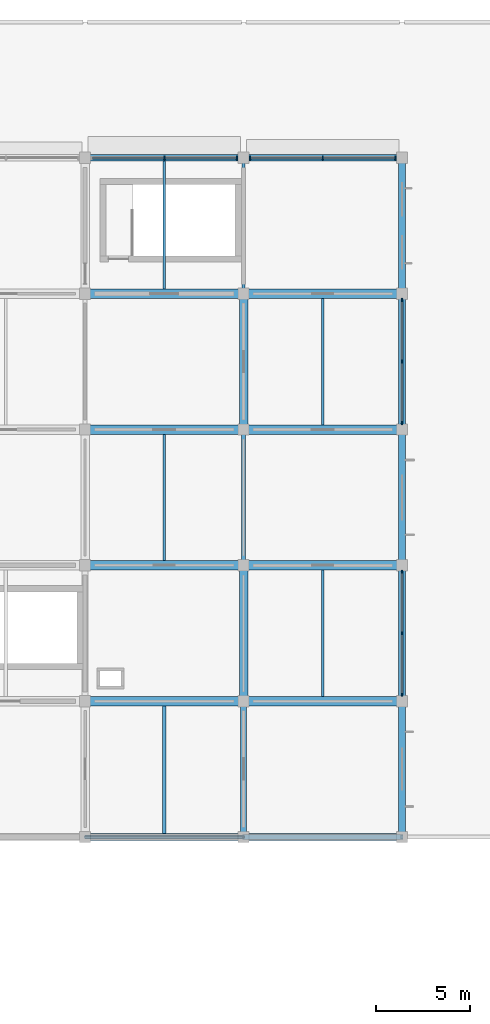
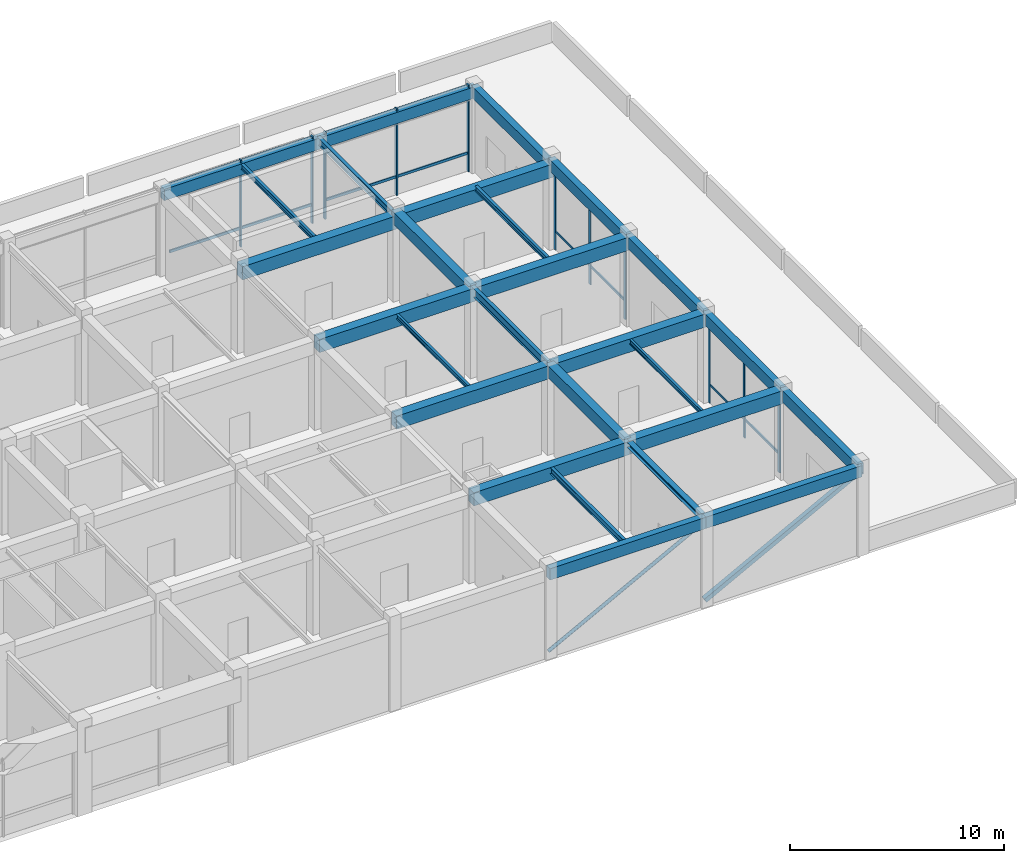
# One storey, part 19 of 38: 27 beams, 21 members, 4 elements without a shape of their own.
"""IFC4 building model written with IfcOpenShell, lengths in metres."""

from ifc_helpers import new_model, si_unit, derived_unit, direction, frame, origin, origin_2d, place, context, subcontext, project, spatial, rectangle, hollow_rectangle, hollow_circle, i_section, extrude, material, material_profile, profile_set, type_object, element, aggregate, save


model = new_model("IFC4")

# Units and contexts
model_context = context("Model", 3, precision=1e-05, world=origin(), true_north=direction((0.0, 1.0)))
body_context = subcontext(model_context, "Body", "Model", "MODEL_VIEW")
ifc_project = project(units=[si_unit("LENGTHUNIT", "METRE"), si_unit("AREAUNIT", "SQUARE_METRE"), si_unit("VOLUMEUNIT", "CUBIC_METRE"), si_unit("PLANEANGLEUNIT", "RADIAN"), si_unit("MASSUNIT", "GRAM", prefix="KILO"), derived_unit("THERMALTRANSMITTANCEUNIT", [(si_unit("MASSUNIT", "GRAM", prefix="KILO"), 1), (si_unit("TIMEUNIT", "SECOND"), -3), (si_unit("THERMODYNAMICTEMPERATUREUNIT", "KELVIN"), -1)])], contexts=[model_context])

# Site, building, storey
site_placement = place(None, origin())
site = spatial("IfcSite", under=ifc_project, at=site_placement, CompositionType="ELEMENT")
building_placement = place(site_placement, origin())
building = spatial("IfcBuilding", under=site, at=building_placement, Name="Veldstrom Oceanarium and Marine Research Institute", CompositionType="ELEMENT")
storey_placement = place(building_placement, frame((0.0, 0.0, 16.800048828125)))
storey = spatial("IfcBuildingStorey", under=building, at=storey_placement, Name="L03", CompositionType="ELEMENT", Elevation=16.800048828125)

# Curtain wall, members
ifc_material_1 = material(Name="Anodised Aluminium Framing", Category="aluminium")
curtain_wall_type_1 = type_object("IfcCurtainWallType", Name="ARC-CW-CW02", PredefinedType="USERDEFINED", material=ifc_material_1)
curtain_wall_1_placement = place(storey_placement, origin())
curtain_wall_1 = element("IfcCurtainWall", 1, at=curtain_wall_1_placement, inside=storey, type_object=curtain_wall_type_1, Name="Curtain Wall CW02 CW-L03-074", ObjectType="Curtain wall", PredefinedType="USERDEFINED")
ifc_material_2 = material(Name="Anodised Aluminium Framing", Category="aluminium")
ifc_material_profile_1 = material_profile(ifc_material_2, rectangle(XDim=0.074951171875, YDim=0.179931640625, at=origin_2d()), Name="ALU-MUL-75x180")
ifc_profile_set_1 = profile_set([ifc_material_profile_1], Name="Anodised Aluminium Framing")
member_type_1 = type_object("IfcMemberType", Name="ARC-MUL-ML1", PredefinedType="MULLION", material=ifc_profile_set_1)
member_1_placement = place(storey_placement, frame((138.60009765625, 79.199951171875, 0.0), z_axis=(0.0, 0.0, 1.0), x_axis=(1.0, 0.0, 0.0)))
member_1 = element("IfcMember", 2, at=member_1_placement, type_object=member_type_1, Name="Curtain Wall Mullion CW-L03-074-MUL-2", PredefinedType="MULLION", context=body_context, shape_type="SweptSolid", body=[
    extrude(rectangle(XDim=0.074951171875, YDim=0.179931640625, at=origin_2d()), origin(), (0.0, 0.0, 1.0), 4.949951171875),
])
member_2_placement = place(storey_placement, frame((142.4599609375, 79.199951171875, 0.0), z_axis=(0.0, 0.0, 1.0), x_axis=(1.0, 0.0, 0.0)))
member_2 = element("IfcMember", 3, at=member_2_placement, type_object=member_type_1, Name="Curtain Wall Mullion CW-L03-074-MUL-3", PredefinedType="MULLION", context=body_context, shape_type="SweptSolid", body=[
    extrude(rectangle(XDim=0.074951171875, YDim=0.179931640625, at=origin_2d()), origin(), (0.0, 0.0, 1.0), 4.949951171875),
])

ifc_material_3 = material(Name="Anodised Aluminium Framing", Category="aluminium")
curtain_wall_type_2 = type_object("IfcCurtainWallType", Name="ARC-CW-CW06", PredefinedType="USERDEFINED", material=ifc_material_3)
curtain_wall_2_placement = place(storey_placement, origin())
curtain_wall_2 = element("IfcCurtainWall", 4, at=curtain_wall_2_placement, inside=storey, type_object=curtain_wall_type_2, Name="Curtain Wall CW06 CW-L03-075", ObjectType="Curtain wall", PredefinedType="USERDEFINED")
member_3_placement = place(storey_placement, frame((151.199951171875, 50.739990234375, 0.0), z_axis=(0.0, 0.0, 1.0), x_axis=(1.0, 0.0, 0.0)))
member_3 = element("IfcMember", 5, at=member_3_placement, type_object=member_type_1, Name="Curtain Wall Mullion CW-L03-075-MUL-1", PredefinedType="MULLION", context=body_context, shape_type="SweptSolid", body=[
    extrude(rectangle(XDim=0.074951171875, YDim=0.179931640625, at=origin_2d()), origin(), (0.0, 0.0, 1.0), 4.949951171875),
])
member_4_placement = place(storey_placement, frame((151.199951171875, 54.0, 0.0), z_axis=(0.0, 0.0, 1.0), x_axis=(1.0, 0.0, 0.0)))
member_4 = element("IfcMember", 6, at=member_4_placement, type_object=member_type_1, Name="Curtain Wall Mullion CW-L03-075-MUL-2", PredefinedType="MULLION", context=body_context, shape_type="SweptSolid", body=[
    extrude(rectangle(XDim=0.074951171875, YDim=0.179931640625, at=origin_2d()), origin(), (0.0, 0.0, 1.0), 4.949951171875),
])
member_5_placement = place(storey_placement, frame((151.199951171875, 57.260009765625, 0.0), z_axis=(0.0, 0.0, 1.0), x_axis=(1.0, 0.0, 0.0)))
member_5 = element("IfcMember", 7, at=member_5_placement, type_object=member_type_1, Name="Curtain Wall Mullion CW-L03-075-MUL-3", PredefinedType="MULLION", context=body_context, shape_type="SweptSolid", body=[
    extrude(rectangle(XDim=0.074951171875, YDim=0.179931640625, at=origin_2d()), origin(), (0.0, 0.0, 1.0), 4.949951171875),
])

curtain_wall_3_placement = place(storey_placement, origin())
curtain_wall_3 = element("IfcCurtainWall", 8, at=curtain_wall_3_placement, inside=storey, type_object=curtain_wall_type_2, Name="Curtain Wall CW06 CW-L03-076", ObjectType="Curtain wall", PredefinedType="USERDEFINED")
member_6_placement = place(storey_placement, frame((151.199951171875, 65.139892578125, 0.0), z_axis=(0.0, 0.0, 1.0), x_axis=(1.0, 0.0, 0.0)))
member_6 = element("IfcMember", 9, at=member_6_placement, type_object=member_type_1, Name="Curtain Wall Mullion CW-L03-076-MUL-1", PredefinedType="MULLION", context=body_context, shape_type="SweptSolid", body=[
    extrude(rectangle(XDim=0.074951171875, YDim=0.179931640625, at=origin_2d()), origin(), (0.0, 0.0, 1.0), 4.949951171875),
])
member_7_placement = place(storey_placement, frame((151.199951171875, 68.39990234375, 0.0), z_axis=(0.0, 0.0, 1.0), x_axis=(1.0, 0.0, 0.0)))
member_7 = element("IfcMember", 10, at=member_7_placement, type_object=member_type_1, Name="Curtain Wall Mullion CW-L03-076-MUL-2", PredefinedType="MULLION", context=body_context, shape_type="SweptSolid", body=[
    extrude(rectangle(XDim=0.074951171875, YDim=0.179931640625, at=origin_2d()), origin(), (0.0, 0.0, 1.0), 4.949951171875),
])
member_8_placement = place(storey_placement, frame((151.199951171875, 71.659912109375, 0.0), z_axis=(0.0, 0.0, 1.0), x_axis=(1.0, 0.0, 0.0)))
member_8 = element("IfcMember", 11, at=member_8_placement, type_object=member_type_1, Name="Curtain Wall Mullion CW-L03-076-MUL-3", PredefinedType="MULLION", context=body_context, shape_type="SweptSolid", body=[
    extrude(rectangle(XDim=0.074951171875, YDim=0.179931640625, at=origin_2d()), origin(), (0.0, 0.0, 1.0), 4.949951171875),
])

curtain_wall_4_placement = place(storey_placement, origin())
curtain_wall_4 = element("IfcCurtainWall", 12, at=curtain_wall_4_placement, inside=storey, type_object=curtain_wall_type_1, Name="Curtain Wall CW02 CW-L03-077", ObjectType="Curtain wall", PredefinedType="USERDEFINED")
member_9_placement = place(storey_placement, frame((143.139892578125, 79.199951171875, 0.0), z_axis=(0.0, 0.0, 1.0), x_axis=(1.0, 0.0, 0.0)))
member_9 = element("IfcMember", 13, at=member_9_placement, type_object=member_type_1, Name="Curtain Wall Mullion CW-L03-077-MUL-1", PredefinedType="MULLION", context=body_context, shape_type="SweptSolid", body=[
    extrude(rectangle(XDim=0.074951171875, YDim=0.179931640625, at=origin_2d()), origin(), (0.0, 0.0, 1.0), 4.949951171875),
])
member_10_placement = place(storey_placement, frame((147.0, 79.199951171875, 0.0), z_axis=(0.0, 0.0, 1.0), x_axis=(1.0, 0.0, 0.0)))
member_10 = element("IfcMember", 14, at=member_10_placement, type_object=member_type_1, Name="Curtain Wall Mullion CW-L03-077-MUL-2", PredefinedType="MULLION", context=body_context, shape_type="SweptSolid", body=[
    extrude(rectangle(XDim=0.074951171875, YDim=0.179931640625, at=origin_2d()), origin(), (0.0, 0.0, 1.0), 4.949951171875),
])
member_11_placement = place(storey_placement, frame((150.860107421875, 79.199951171875, 0.0), z_axis=(0.0, 0.0, 1.0), x_axis=(1.0, 0.0, 0.0)))
member_11 = element("IfcMember", 15, at=member_11_placement, type_object=member_type_1, Name="Curtain Wall Mullion CW-L03-077-MUL-3", PredefinedType="MULLION", context=body_context, shape_type="SweptSolid", body=[
    extrude(rectangle(XDim=0.074951171875, YDim=0.179931640625, at=origin_2d()), origin(), (0.0, 0.0, 1.0), 4.949951171875),
])

# Member
ifc_material_4 = material(Name="Anodised Aluminium Framing", Category="aluminium")
ifc_material_profile_2 = material_profile(ifc_material_4, rectangle(XDim=0.074951171875, YDim=0.14990234375, at=origin_2d()), Name="ALU-TRN-75x150")
ifc_profile_set_2 = profile_set([ifc_material_profile_2], Name="Anodised Aluminium Framing")
member_type_2 = type_object("IfcMemberType", Name="ARC-TRN-TR1", PredefinedType="USERDEFINED", material=ifc_profile_set_2)
member_12_placement = place(storey_placement, frame((134.780029296875, 79.199951171875, 1.050048828125), z_axis=(1.0, 0.0, 0.0), x_axis=(0.0, 1.0, 0.0)))
member_12 = element("IfcMember", 16, at=member_12_placement, type_object=member_type_2, Name="Curtain Wall Transom CW-L03-074-TRN-1", ObjectType="Transom", PredefinedType="USERDEFINED", context=body_context, shape_type="SweptSolid", body=[
    extrude(rectangle(XDim=0.074951171875, YDim=0.14990234375, at=origin_2d()), origin(), (0.0, 0.0, 1.0), 3.780029296875),
])

member_13_placement = place(storey_placement, frame((138.639892578125, 79.199951171875, 1.050048828125), z_axis=(1.0, 0.0, 0.0), x_axis=(0.0, 1.0, 0.0)))
member_13 = element("IfcMember", 17, at=member_13_placement, type_object=member_type_2, Name="Curtain Wall Transom CW-L03-074-TRN-2", ObjectType="Transom", PredefinedType="USERDEFINED", context=body_context, shape_type="SweptSolid", body=[
    extrude(rectangle(XDim=0.074951171875, YDim=0.14990234375, at=origin_2d()), origin(), (0.0, 0.0, 1.0), 3.780029296875),
])

aggregate(curtain_wall_1, [member_1, member_2, member_12, member_13])

member_14_placement = place(storey_placement, frame((143.179931640625, 79.199951171875, 1.050048828125), z_axis=(1.0, 0.0, 0.0), x_axis=(0.0, 1.0, 0.0)))
member_14 = element("IfcMember", 18, at=member_14_placement, type_object=member_type_2, Name="Curtain Wall Transom CW-L03-077-TRN-1", ObjectType="Transom", PredefinedType="USERDEFINED", context=body_context, shape_type="SweptSolid", body=[
    extrude(rectangle(XDim=0.074951171875, YDim=0.14990234375, at=origin_2d()), origin(), (0.0, 0.0, 1.0), 3.780029296875),
])

member_15_placement = place(storey_placement, frame((147.0400390625, 79.199951171875, 1.050048828125), z_axis=(1.0, 0.0, 0.0), x_axis=(0.0, 1.0, 0.0)))
member_15 = element("IfcMember", 19, at=member_15_placement, type_object=member_type_2, Name="Curtain Wall Transom CW-L03-077-TRN-2", ObjectType="Transom", PredefinedType="USERDEFINED", context=body_context, shape_type="SweptSolid", body=[
    extrude(rectangle(XDim=0.074951171875, YDim=0.14990234375, at=origin_2d()), origin(), (0.0, 0.0, 1.0), 3.780029296875),
])

aggregate(curtain_wall_4, [member_9, member_10, member_11, member_14, member_15])

ifc_material_5 = material(Name="Anodised Aluminium Framing", Category="aluminium")
ifc_material_profile_3 = material_profile(ifc_material_5, rectangle(XDim=0.06494140625, YDim=0.1201171875, at=origin_2d()), Name="ALU-TRN-65x120")
ifc_profile_set_3 = profile_set([ifc_material_profile_3], Name="Anodised Aluminium Framing")
member_type_3 = type_object("IfcMemberType", Name="ARC-TRN-TR2", PredefinedType="USERDEFINED", material=ifc_profile_set_3)
member_16_placement = place(storey_placement, frame((151.199951171875, 50.780029296875, 1.050048828125), z_axis=(0.0, 1.0, 0.0), x_axis=(-1.0, 0.0, 0.0)))
member_16 = element("IfcMember", 20, at=member_16_placement, type_object=member_type_3, Name="Curtain Wall Transom CW-L03-075-TRN-1", ObjectType="Transom", PredefinedType="USERDEFINED", context=body_context, shape_type="SweptSolid", body=[
    extrude(rectangle(XDim=0.06494140625, YDim=0.1201171875, at=origin_2d()), origin(), (0.0, 0.0, 1.0), 3.179931640625),
])

member_17_placement = place(storey_placement, frame((151.199951171875, 54.0400390625, 1.050048828125), z_axis=(0.0, 1.0, 0.0), x_axis=(-1.0, 0.0, 0.0)))
member_17 = element("IfcMember", 21, at=member_17_placement, type_object=member_type_3, Name="Curtain Wall Transom CW-L03-075-TRN-2", ObjectType="Transom", PredefinedType="USERDEFINED", context=body_context, shape_type="SweptSolid", body=[
    extrude(rectangle(XDim=0.06494140625, YDim=0.1201171875, at=origin_2d()), origin(), (0.0, 0.0, 1.0), 3.179931640625),
])

aggregate(curtain_wall_2, [member_3, member_4, member_5, member_16, member_17])

member_18_placement = place(storey_placement, frame((151.199951171875, 65.179931640625, 1.050048828125), z_axis=(0.0, 1.0, 0.0), x_axis=(-1.0, 0.0, 0.0)))
member_18 = element("IfcMember", 22, at=member_18_placement, type_object=member_type_3, Name="Curtain Wall Transom CW-L03-076-TRN-1", ObjectType="Transom", PredefinedType="USERDEFINED", context=body_context, shape_type="SweptSolid", body=[
    extrude(rectangle(XDim=0.06494140625, YDim=0.1201171875, at=origin_2d()), origin(), (0.0, 0.0, 1.0), 3.18017578125),
])

member_19_placement = place(storey_placement, frame((151.199951171875, 68.43994140625, 1.050048828125), z_axis=(0.0, 1.0, 0.0), x_axis=(-1.0, 0.0, 0.0)))
member_19 = element("IfcMember", 23, at=member_19_placement, type_object=member_type_3, Name="Curtain Wall Transom CW-L03-076-TRN-2", ObjectType="Transom", PredefinedType="USERDEFINED", context=body_context, shape_type="SweptSolid", body=[
    extrude(rectangle(XDim=0.06494140625, YDim=0.1201171875, at=origin_2d()), origin(), (0.0, 0.0, 1.0), 3.18017578125),
])

aggregate(curtain_wall_3, [member_6, member_7, member_8, member_18, member_19])

# Beams
ifc_material_6 = material(Name="Concrete C40/50", Category="concrete")
ifc_material_profile_4 = material_profile(ifc_material_6, rectangle(XDim=0.5, YDim=0.75, at=origin_2d()), Name="RC-BM-500x750")
ifc_profile_set_4 = profile_set([ifc_material_profile_4], Name="Concrete C40/50")
beam_type_1 = type_object("IfcBeamType", Name="STR-BM-B03", PredefinedType="BEAM", material=ifc_profile_set_4)
for number, where, z_axis, x_axis, name in (
    (24, (134.39990234375, 50.39990234375, 4.669921875), (1.0, 0.0, 0.0), (0.0, 1.0, 0.0), "Primary Beam B03 L03-1937"),
    (25, (134.39990234375, 57.60009765625, 4.669921875), (1.0, 0.0, 0.0), (0.0, 1.0, 0.0), "Primary Beam B03 L03-1938"),
    (26, (134.39990234375, 64.800048828125, 4.669921875), (1.0, 0.0, 0.0), (0.0, 1.0, 0.0), "Primary Beam B03 L03-1939"),
    (27, (134.39990234375, 72.0, 4.445068359375), (1.0, 0.0, 0.0), (0.0, 1.0, 0.0), "Primary Beam B03 L03-1940"),
):
    element("IfcBeam", number, at=place(storey_placement, frame(where, z_axis=z_axis, x_axis=x_axis)), inside=storey, type_object=beam_type_1, Name=name, PredefinedType="BEAM", context=body_context, shape_type="SweptSolid", body=[
        extrude(rectangle(XDim=0.5, YDim=0.75, at=origin_2d()), origin(), (0.0, 0.0, 1.0), 8.400146484375),
    ])
for number, where, z_axis, x_axis, name in (
    (28, (142.800048828125, 50.39990234375, 4.669921875), (1.0, 0.0, 0.0), (0.0, 1.0, 0.0), "Primary Beam B03 L03-1943"),
    (29, (142.800048828125, 57.60009765625, 4.669921875), (1.0, 0.0, 0.0), (0.0, 1.0, 0.0), "Primary Beam B03 L03-1944"),
    (30, (142.800048828125, 64.800048828125, 4.669921875), (1.0, 0.0, 0.0), (0.0, 1.0, 0.0), "Primary Beam B03 L03-1945"),
    (31, (142.800048828125, 72.0, 4.445068359375), (1.0, 0.0, 0.0), (0.0, 1.0, 0.0), "Primary Beam B03 L03-1946"),
):
    element("IfcBeam", number, at=place(storey_placement, frame(where, z_axis=z_axis, x_axis=x_axis)), inside=storey, type_object=beam_type_1, Name=name, PredefinedType="BEAM", context=body_context, shape_type="SweptSolid", body=[
        extrude(rectangle(XDim=0.5, YDim=0.75, at=origin_2d()), origin(), (0.0, 0.0, 1.0), 8.39990234375),
    ])
ifc_material_7 = material(Name="Concrete C40/50", Category="concrete")
ifc_material_profile_5 = material_profile(ifc_material_7, rectangle(XDim=0.449951171875, YDim=0.699951171875, at=origin_2d()), Name="RC-BM-450x700")
ifc_profile_set_5 = profile_set([ifc_material_profile_5], Name="Concrete C40/50")
beam_type_2 = type_object("IfcBeamType", Name="STR-BM-B04", PredefinedType="BEAM", material=ifc_profile_set_5)
beam_1_placement = place(storey_placement, frame((142.800048828125, 50.39990234375, 4.695068359375), z_axis=(0.0, 1.0, 0.0), x_axis=(-1.0, 0.0, 0.0)))
element("IfcBeam", 32, at=beam_1_placement, inside=storey, type_object=beam_type_2, Name="Primary Beam B04 L03-2044", PredefinedType="BEAM", context=body_context, shape_type="SweptSolid", body=[
    extrude(rectangle(XDim=0.449951171875, YDim=0.699951171875, at=origin_2d()), origin(), (0.0, 0.0, 1.0), 7.2001953125),
])
beam_2_placement = place(storey_placement, frame((142.800048828125, 64.800048828125, 4.695068359375), z_axis=(0.0, 1.0, 0.0), x_axis=(-1.0, 0.0, 0.0)))
element("IfcBeam", 33, at=beam_2_placement, inside=storey, type_object=beam_type_2, Name="Primary Beam B04 L03-2046", PredefinedType="BEAM", context=body_context, shape_type="SweptSolid", body=[
    extrude(rectangle(XDim=0.449951171875, YDim=0.699951171875, at=origin_2d()), origin(), (0.0, 0.0, 1.0), 7.199951171875),
])
ifc_material_8 = material(Name="Steel S355JR", Category="steel")
ifc_material_profile_6 = material_profile(ifc_material_8, i_section(OverallWidth=0.300048828125, OverallDepth=0.2900390625, WebThickness=0.008544921875, FlangeThickness=0.013916015625, FilletRadius=0.027099609375, at=origin_2d()), Name="HEA 300")
ifc_profile_set_6 = profile_set([ifc_material_profile_6], Name="Steel S355JR")
beam_type_3 = type_object("IfcBeamType", Name="STR-BM-SB10", PredefinedType="BEAM", material=ifc_profile_set_6)
beam_3_placement = place(storey_placement, frame((142.800048828125, 43.199951171875, 4.89990234375), z_axis=(0.0, 1.0, 0.0), x_axis=(-1.0, 0.0, 0.0)))
element("IfcBeam", 34, at=beam_3_placement, inside=storey, type_object=beam_type_3, Name="Steel Tie Beam SB10 L03-2043", PredefinedType="BEAM", context=body_context, shape_type="SweptSolid", body=[
    extrude(i_section(OverallWidth=0.300048828125, OverallDepth=0.2900390625, WebThickness=0.008544921875, FlangeThickness=0.013916015625, FilletRadius=0.027099609375, at=origin_2d()), origin(), (0.0, 0.0, 1.0), 7.199951171875),
])
ifc_material_9 = material(Name="Steel S355JR", Category="steel")
ifc_material_profile_7 = material_profile(ifc_material_9, i_section(OverallWidth=0.199951171875, OverallDepth=0.5, WebThickness=0.01025390625, FlangeThickness=0.01611328125, FilletRadius=0.02099609375, at=origin_2d()), Name="IPE 500")
ifc_profile_set_7 = profile_set([ifc_material_profile_7], Name="Steel S355JR")
beam_type_4 = type_object("IfcBeamType", Name="STR-BM-SB6", PredefinedType="BEAM", material=ifc_profile_set_7)
beam_4_placement = place(storey_placement, frame((142.800048828125, 57.60009765625, 4.794921875), z_axis=(0.0, 1.0, 0.0), x_axis=(-1.0, 0.0, 0.0)))
element("IfcBeam", 35, at=beam_4_placement, inside=storey, type_object=beam_type_4, Name="Steel Tie Beam SB6 L03-2045", PredefinedType="BEAM", context=body_context, shape_type="SweptSolid", body=[
    extrude(i_section(OverallWidth=0.199951171875, OverallDepth=0.5, WebThickness=0.01025390625, FlangeThickness=0.01611328125, FilletRadius=0.02099609375, at=origin_2d()), origin(), (0.0, 0.0, 1.0), 7.199951171875),
])
ifc_material_10 = material(Name="Steel S355JR", Category="steel")
ifc_material_profile_8 = material_profile(ifc_material_10, i_section(OverallWidth=0.179931640625, OverallDepth=0.39990234375, WebThickness=0.008544921875, FlangeThickness=0.013427734375, FilletRadius=0.02099609375, at=origin_2d()), Name="IPE 400")
ifc_profile_set_8 = profile_set([ifc_material_profile_8], Name="Steel S355JR")
beam_type_5 = type_object("IfcBeamType", Name="STR-BM-SB8", PredefinedType="BEAM", material=ifc_profile_set_8)
beam_5_placement = place(storey_placement, frame((142.800048828125, 72.0, 4.619873046875), z_axis=(0.0, 1.0, 0.0), x_axis=(-1.0, 0.0, 0.0)))
element("IfcBeam", 36, at=beam_5_placement, inside=storey, type_object=beam_type_5, Name="Steel Tie Beam SB8 L03-2047", PredefinedType="BEAM", context=body_context, shape_type="SweptSolid", body=[
    extrude(i_section(OverallWidth=0.179931640625, OverallDepth=0.39990234375, WebThickness=0.008544921875, FlangeThickness=0.013427734375, FilletRadius=0.02099609375, at=origin_2d()), origin(), (0.0, 0.0, 1.0), 7.199951171875),
])
ifc_material_11 = material(Name="Steel S355JR", Category="steel")
ifc_material_profile_9 = material_profile(ifc_material_11, i_section(OverallWidth=0.169921875, OverallDepth=0.360107421875, WebThickness=0.008056640625, FlangeThickness=0.0126953125, FilletRadius=0.01806640625, at=origin_2d()), Name="IPE 360")
ifc_profile_set_9 = profile_set([ifc_material_profile_9], Name="Steel S355JR")
beam_type_6 = type_object("IfcBeamType", Name="STR-JST-SJ1", PredefinedType="JOIST", material=ifc_profile_set_9)
beam_6_placement = place(storey_placement, frame((138.60009765625, 43.375, 4.864990234375), z_axis=(0.0, 1.0, 0.0), x_axis=(-1.0, 0.0, 0.0)))
element("IfcBeam", 37, at=beam_6_placement, inside=storey, type_object=beam_type_6, Name="Secondary Joist SJ1 L03-2090", PredefinedType="JOIST", context=body_context, shape_type="SweptSolid", body=[
    extrude(i_section(OverallWidth=0.169921875, OverallDepth=0.360107421875, WebThickness=0.008056640625, FlangeThickness=0.0126953125, FilletRadius=0.01806640625, at=origin_2d()), origin(), (0.0, 0.0, 1.0), 6.77490234375),
])
ifc_material_12 = material(Name="Steel S355JR", Category="steel")
ifc_material_profile_10 = material_profile(ifc_material_12, i_section(OverallWidth=0.14990234375, OverallDepth=0.300048828125, WebThickness=0.007080078125, FlangeThickness=0.0107421875, FilletRadius=0.014892578125, at=origin_2d()), Name="IPE 300")
ifc_profile_set_10 = profile_set([ifc_material_profile_10], Name="Steel S355JR")
beam_type_7 = type_object("IfcBeamType", Name="STR-JST-SJ2", PredefinedType="JOIST", material=ifc_profile_set_10)
beam_7_placement = place(storey_placement, frame((138.60009765625, 72.25, 4.669921875), z_axis=(0.0, 1.0, 0.0), x_axis=(-1.0, 0.0, 0.0)))
element("IfcBeam", 38, at=beam_7_placement, inside=storey, type_object=beam_type_7, Name="Secondary Joist SJ2 L03-2092", PredefinedType="JOIST", context=body_context, shape_type="SweptSolid", body=[
    extrude(i_section(OverallWidth=0.14990234375, OverallDepth=0.300048828125, WebThickness=0.007080078125, FlangeThickness=0.0107421875, FilletRadius=0.014892578125, at=origin_2d()), origin(), (0.0, 0.0, 1.0), 6.77490234375),
])
beam_8_placement = place(storey_placement, frame((147.0, 65.050048828125, 4.89501953125), z_axis=(0.0, 1.0, 0.0), x_axis=(-1.0, 0.0, 0.0)))
element("IfcBeam", 39, at=beam_8_placement, inside=storey, type_object=beam_type_7, Name="Secondary Joist SJ2 L03-2094", PredefinedType="JOIST", context=body_context, shape_type="SweptSolid", body=[
    extrude(i_section(OverallWidth=0.14990234375, OverallDepth=0.300048828125, WebThickness=0.007080078125, FlangeThickness=0.0107421875, FilletRadius=0.014892578125, at=origin_2d()), origin(), (0.0, 0.0, 1.0), 6.699951171875),
])
ifc_material_13 = material(Name="Steel S355JR", Category="steel")
ifc_material_profile_11 = material_profile(ifc_material_13, i_section(OverallWidth=0.135009765625, OverallDepth=0.27001953125, WebThickness=0.006591796875, FlangeThickness=0.01025390625, FilletRadius=0.014892578125, at=origin_2d()), Name="IPE 270")
ifc_profile_set_11 = profile_set([ifc_material_profile_11], Name="Steel S355JR")
beam_type_8 = type_object("IfcBeamType", Name="STR-JST-SJ3", PredefinedType="JOIST", material=ifc_profile_set_11)
beam_9_placement = place(storey_placement, frame((138.60009765625, 57.85009765625, 4.909912109375), z_axis=(0.0, 1.0, 0.0), x_axis=(-1.0, 0.0, 0.0)))
element("IfcBeam", 40, at=beam_9_placement, inside=storey, type_object=beam_type_8, Name="Secondary Joist SJ3 L03-2091", PredefinedType="JOIST", context=body_context, shape_type="SweptSolid", body=[
    extrude(i_section(OverallWidth=0.135009765625, OverallDepth=0.27001953125, WebThickness=0.006591796875, FlangeThickness=0.01025390625, FilletRadius=0.014892578125, at=origin_2d()), origin(), (0.0, 0.0, 1.0), 6.699951171875),
])
beam_10_placement = place(storey_placement, frame((147.0, 50.64990234375, 4.909912109375), z_axis=(0.0, 1.0, 0.0), x_axis=(-1.0, 0.0, 0.0)))
element("IfcBeam", 41, at=beam_10_placement, inside=storey, type_object=beam_type_8, Name="Secondary Joist SJ3 L03-2093", PredefinedType="JOIST", context=body_context, shape_type="SweptSolid", body=[
    extrude(i_section(OverallWidth=0.135009765625, OverallDepth=0.27001953125, WebThickness=0.006591796875, FlangeThickness=0.01025390625, FilletRadius=0.014892578125, at=origin_2d()), origin(), (0.0, 0.0, 1.0), 6.7001953125),
])

# Members
ifc_material_14 = material(Name="Steel S355JR", Category="steel")
ifc_material_profile_12 = material_profile(ifc_material_14, hollow_circle(Radius=0.096923828125, WallThickness=0.010009765625, at=origin_2d()), Name="CHS 193.7x10")
ifc_profile_set_12 = profile_set([ifc_material_profile_12], Name="Steel S355JR")
member_type_4 = type_object("IfcMemberType", Name="STR-MEM-BR2", PredefinedType="BRACE", material=ifc_profile_set_12)
member_20_placement = place(storey_placement, frame((134.39990234375, 43.199951171875, 0.25), z_axis=(0.883665441968, 0.0, 0.468118987728), x_axis=(0.0, 1.0, 0.0)))
element("IfcMember", 42, at=member_20_placement, inside=storey, type_object=member_type_4, Name="Party-Wall Lateral Brace LB-L03-0636", PredefinedType="BRACE", context=body_context, shape_type="SweptSolid", body=[
    extrude(hollow_circle(Radius=0.096923828125, WallThickness=0.010009765625, at=origin_2d()), origin(), (0.0, 0.0, 1.0), 9.506103515625),
])
ifc_material_15 = material(Name="Steel S355JR", Category="steel")
ifc_material_profile_13 = material_profile(ifc_material_15, hollow_rectangle(XDim=0.25, YDim=0.25, WallThickness=0.012451171875, at=origin_2d()), Name="SHS 250x250x12.5")
ifc_profile_set_13 = profile_set([ifc_material_profile_13], Name="Steel S355JR")
member_type_5 = type_object("IfcMemberType", Name="STR-MEM-CH1", PredefinedType="CHORD", material=ifc_profile_set_13)
member_21_placement = place(storey_placement, frame((142.800048828125, 43.199951171875, 0.25), z_axis=(0.883659813783, 0.0, 0.468129611865), x_axis=(0.0, 1.0, 0.0)))
element("IfcMember", 43, at=member_21_placement, inside=storey, type_object=member_type_5, Name="Party-Wall Lateral Brace LB-L03-0637", PredefinedType="CHORD", context=body_context, shape_type="SweptSolid", body=[
    extrude(hollow_rectangle(XDim=0.25, YDim=0.25, WallThickness=0.012451171875, at=origin_2d()), origin(), (0.0, 0.0, 1.0), 9.505859375),
])

# Beams
ifc_material_16 = material(Name="Concrete C40/50", Category="concrete")
ifc_material_profile_14 = material_profile(ifc_material_16, rectangle(XDim=0.35009765625, YDim=0.64990234375, at=origin_2d()), Name="RC-SPN-350x650")
ifc_profile_set_14 = profile_set([ifc_material_profile_14], Name="Concrete C40/50")
beam_type_9 = type_object("IfcBeamType", Name="STR-SPN-SP1", PredefinedType="SPANDREL", material=ifc_profile_set_14)
for number, where, z_axis, x_axis, name in (
    (44, (134.39990234375, 43.199951171875, 4.719970703125), (1.0, 0.0, 0.0), (0.0, 1.0, 0.0), "Perimeter Spandrel SPB1 L03-1936"),
    (45, (134.39990234375, 79.199951171875, 4.494873046875), (1.0, 0.0, 0.0), (0.0, 1.0, 0.0), "Perimeter Spandrel SPB1 L03-1941"),
):
    element("IfcBeam", number, at=place(storey_placement, frame(where, z_axis=z_axis, x_axis=x_axis)), inside=storey, type_object=beam_type_9, Name=name, PredefinedType="SPANDREL", context=body_context, shape_type="SweptSolid", body=[
        extrude(rectangle(XDim=0.35009765625, YDim=0.64990234375, at=origin_2d()), origin(), (0.0, 0.0, 1.0), 8.400146484375),
    ])
for number, where, z_axis, x_axis, name in (
    (46, (142.800048828125, 43.199951171875, 4.719970703125), (1.0, 0.0, 0.0), (0.0, 1.0, 0.0), "Perimeter Spandrel SPB1 L03-1942"),
    (47, (142.800048828125, 79.199951171875, 4.494873046875), (1.0, 0.0, 0.0), (0.0, 1.0, 0.0), "Perimeter Spandrel SPB1 L03-1947"),
):
    element("IfcBeam", number, at=place(storey_placement, frame(where, z_axis=z_axis, x_axis=x_axis)), inside=storey, type_object=beam_type_9, Name=name, PredefinedType="SPANDREL", context=body_context, shape_type="SweptSolid", body=[
        extrude(rectangle(XDim=0.35009765625, YDim=0.64990234375, at=origin_2d()), origin(), (0.0, 0.0, 1.0), 8.39990234375),
    ])
beam_11_placement = place(storey_placement, frame((151.199951171875, 43.199951171875, 4.719970703125), z_axis=(0.0, 1.0, 0.0), x_axis=(-1.0, 0.0, 0.0)))
element("IfcBeam", 48, at=beam_11_placement, inside=storey, type_object=beam_type_9, Name="Perimeter Spandrel SPB1 L03-2048", PredefinedType="SPANDREL", context=body_context, shape_type="SweptSolid", body=[
    extrude(rectangle(XDim=0.35009765625, YDim=0.64990234375, at=origin_2d()), origin(), (0.0, 0.0, 1.0), 7.199951171875),
])
beam_12_placement = place(storey_placement, frame((151.199951171875, 50.39990234375, 4.719970703125), z_axis=(0.0, 1.0, 0.0), x_axis=(-1.0, 0.0, 0.0)))
element("IfcBeam", 49, at=beam_12_placement, inside=storey, type_object=beam_type_9, Name="Perimeter Spandrel SPB1 L03-2049", PredefinedType="SPANDREL", context=body_context, shape_type="SweptSolid", body=[
    extrude(rectangle(XDim=0.35009765625, YDim=0.64990234375, at=origin_2d()), origin(), (0.0, 0.0, 1.0), 7.2001953125),
])
for number, where, z_axis, x_axis, name in (
    (50, (151.199951171875, 57.60009765625, 4.719970703125), (0.0, 1.0, 0.0), (-1.0, 0.0, 0.0), "Perimeter Spandrel SPB1 L03-2050"),
    (51, (151.199951171875, 64.800048828125, 4.719970703125), (0.0, 1.0, 0.0), (-1.0, 0.0, 0.0), "Perimeter Spandrel SPB1 L03-2051"),
    (52, (151.199951171875, 72.0, 4.494873046875), (0.0, 1.0, 0.0), (-1.0, 0.0, 0.0), "Perimeter Spandrel SPB1 L03-2052"),
):
    element("IfcBeam", number, at=place(storey_placement, frame(where, z_axis=z_axis, x_axis=x_axis)), inside=storey, type_object=beam_type_9, Name=name, PredefinedType="SPANDREL", context=body_context, shape_type="SweptSolid", body=[
        extrude(rectangle(XDim=0.35009765625, YDim=0.64990234375, at=origin_2d()), origin(), (0.0, 0.0, 1.0), 7.199951171875),
    ])

save(model, "model.ifc")
